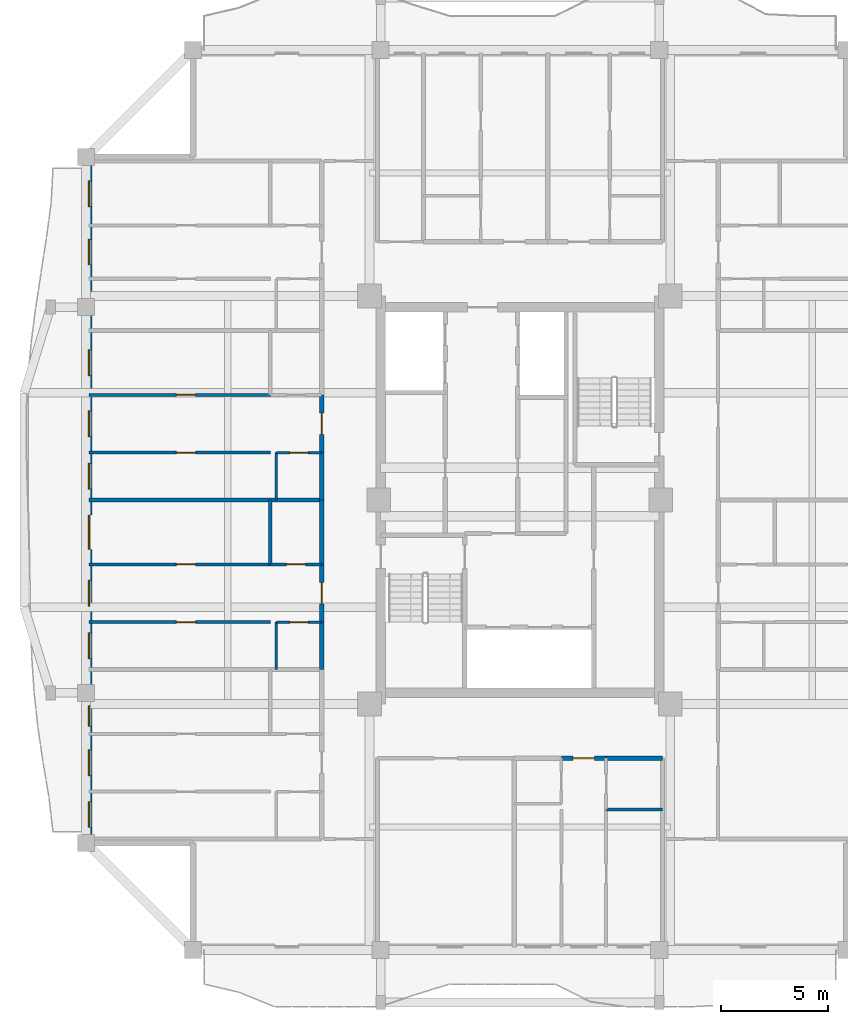
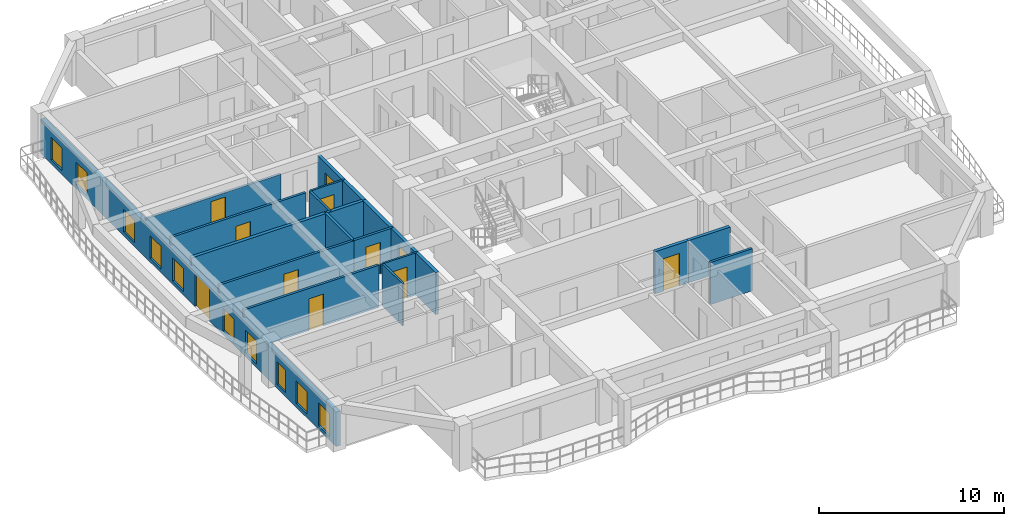
# One storey, part 3 of 13: 20 walls, 11 doors, 10 windows, 21 openings.
"""IFC4 building model written with IfcOpenShell, lengths in metres."""

from ifc_helpers import new_model, si_unit, direction, frame, frame_2d, origin, place, context, subcontext, project, spatial, rectangle, extrude, source, transform, mapped, material, layer, layer_set, type_object, element, fill, save


model = new_model("IFC4")

# Units and contexts
model_context = context("Model", 3, precision=1e-05, world=origin(), true_north=direction((0.0, 1.0)))
body_context = subcontext(model_context, "Body", "Model", "MODEL_VIEW")
ifc_project = project(units=[si_unit("LENGTHUNIT", "METRE"), si_unit("AREAUNIT", "SQUARE_METRE"), si_unit("VOLUMEUNIT", "CUBIC_METRE"), si_unit("PLANEANGLEUNIT", "RADIAN"), si_unit("MASSUNIT", "GRAM", prefix="KILO")], contexts=[model_context])

# Site, building, storey
site_placement = place(None, origin())
site = spatial("IfcSite", under=ifc_project, at=site_placement, CompositionType="ELEMENT")
building_placement = place(site_placement, origin())
building = spatial("IfcBuilding", under=site, at=building_placement, Name="Saelheon Loggia Tower", CompositionType="ELEMENT")
storey_placement = place(building_placement, frame((0.0, 0.0, 189.699951171875)))
storey = spatial("IfcBuildingStorey", under=building, at=storey_placement, Name="L59", CompositionType="ELEMENT", Elevation=189.699951171875)

# Wall, openings, windows, door
ifc_material_1 = material(Name="Architectural Precast Concrete C40/50", Category="concrete")
ifc_layer_1 = layer(ifc_material_1, 0.280029296875)
ifc_layer_set_1 = layer_set([ifc_layer_1], Name="Architectural Precast Concrete C40/50")
wall_type_1 = type_object("IfcWallType", Name="Wall_Ext_Loggia_280", PredefinedType="SOLIDWALL", material=ifc_layer_set_1)
wall_1_placement = place(storey_placement, frame((17.889892578125, 11.0, 0.0), z_axis=(0.0, 0.0, 1.0), x_axis=(0.0, 1.0, 0.0)))
wall_1 = element("IfcWall", 1, at=wall_1_placement, inside=storey, type_object=wall_type_1, Name="L59 West Loggia Inner Wall", PredefinedType="SOLIDWALL", context=body_context, shape_type="SweptSolid", body=[
    extrude(rectangle(XDim=32.0, YDim=0.280029296875, at=frame_2d((16.0, 0.0))), origin(), (0.0, 0.0, 1.0), 2.280029296875),
])
opening_1_placement = place(wall_1_placement, frame((0.71728515625, 0.0, 0.25)))
opening_1 = element("IfcOpeningElement", 2, at=opening_1_placement, cuts=wall_1, Name="Opening WN-03", PredefinedType="OPENING", context=body_context, shape_type="SweptSolid", body=[
    extrude(rectangle(XDim=1.199951171875, YDim=1.5, at=frame_2d((0.60009765625, 0.75))), frame((0.0, 0.152099609375, 0.0), z_axis=(0.0, -1.0, 0.0), x_axis=(1.0, 0.0, 0.0)), (0.0, 0.0, 1.0), 0.303955078125),
])
opening_2_placement = place(wall_1_placement, frame((3.139404296875, 0.0, 0.25)))
opening_2 = element("IfcOpeningElement", 3, at=opening_2_placement, cuts=wall_1, Name="Opening WN-03", PredefinedType="OPENING", context=body_context, shape_type="SweptSolid", body=[
    extrude(rectangle(XDim=1.199951171875, YDim=1.5, at=frame_2d((0.60009765625, 0.75))), frame((0.0, 0.152099609375, 0.0), z_axis=(0.0, -1.0, 0.0), x_axis=(1.0, 0.0, 0.0)), (0.0, 0.0, 1.0), 0.303955078125),
])
opening_3_placement = place(wall_1_placement, frame((5.447021484375, 0.0, 0.25)))
opening_3 = element("IfcOpeningElement", 4, at=opening_3_placement, cuts=wall_1, Name="Opening WN-04", PredefinedType="OPENING", context=body_context, shape_type="SweptSolid", body=[
    extrude(rectangle(XDim=0.949951171875, YDim=1.5, at=frame_2d((0.47509765625, 0.75))), frame((0.0, 0.152099609375, 0.0), z_axis=(0.0, -1.0, 0.0), x_axis=(1.0, 0.0, 0.0)), (0.0, 0.0, 1.0), 0.303955078125),
])
opening_4_placement = place(wall_1_placement, frame((8.597412109375, 0.0, 0.25)))
opening_4 = element("IfcOpeningElement", 5, at=opening_4_placement, cuts=wall_1, Name="Opening WN-03", PredefinedType="OPENING", context=body_context, shape_type="SweptSolid", body=[
    extrude(rectangle(XDim=1.199951171875, YDim=1.5, at=frame_2d((0.60009765625, 0.75))), frame((0.0, 0.152099609375, 0.0), z_axis=(0.0, -1.0, 0.0), x_axis=(1.0, 0.0, 0.0)), (0.0, 0.0, 1.0), 0.303955078125),
])
opening_5_placement = place(wall_1_placement, frame((11.049560546875, 0.0, 0.25)))
opening_5 = element("IfcOpeningElement", 6, at=opening_5_placement, cuts=wall_1, Name="Opening WN-03", PredefinedType="OPENING", context=body_context, shape_type="SweptSolid", body=[
    extrude(rectangle(XDim=1.199951171875, YDim=1.5, at=frame_2d((0.60009765625, 0.75))), frame((0.0, 0.152099609375, 0.0), z_axis=(0.0, -1.0, 0.0), x_axis=(1.0, 0.0, 0.0)), (0.0, 0.0, 1.0), 0.303955078125),
])
opening_6_placement = place(wall_1_placement, frame((13.697021484375, 0.0, 0.0)))
opening_6 = element("IfcOpeningElement", 7, at=opening_6_placement, cuts=wall_1, Name="Opening DLG-1", PredefinedType="OPENING", context=body_context, shape_type="SweptSolid", body=[
    extrude(rectangle(XDim=1.60009765625, YDim=2.14990234375, at=frame_2d((0.800048828125, 1.074951171875))), frame((0.0, 0.152099609375, 0.0), z_axis=(0.0, -1.0, 0.0), x_axis=(1.0, 0.0, 0.0)), (0.0, 0.0, 1.0), 0.303955078125),
])
opening_7_placement = place(wall_1_placement, frame((16.50732421875, 0.0, 0.25)))
opening_7 = element("IfcOpeningElement", 8, at=opening_7_placement, cuts=wall_1, Name="Opening WN-03", PredefinedType="OPENING", context=body_context, shape_type="SweptSolid", body=[
    extrude(rectangle(XDim=1.199951171875, YDim=1.5, at=frame_2d((0.60009765625, 0.75))), frame((0.0, 0.152099609375, 0.0), z_axis=(0.0, -1.0, 0.0), x_axis=(1.0, 0.0, 0.0)), (0.0, 0.0, 1.0), 0.303955078125),
])
opening_8_placement = place(wall_1_placement, frame((18.95947265625, 0.0, 0.25)))
opening_8 = element("IfcOpeningElement", 9, at=opening_8_placement, cuts=wall_1, Name="Opening WN-03", PredefinedType="OPENING", context=body_context, shape_type="SweptSolid", body=[
    extrude(rectangle(XDim=1.199951171875, YDim=1.5, at=frame_2d((0.60009765625, 0.75))), frame((0.0, 0.152099609375, 0.0), z_axis=(0.0, -1.0, 0.0), x_axis=(1.0, 0.0, 0.0)), (0.0, 0.0, 1.0), 0.303955078125),
])
opening_9_placement = place(wall_1_placement, frame((21.80712890625, 0.0, 0.25)))
opening_9 = element("IfcOpeningElement", 10, at=opening_9_placement, cuts=wall_1, Name="Opening WN-03", PredefinedType="OPENING", context=body_context, shape_type="SweptSolid", body=[
    extrude(rectangle(XDim=1.199951171875, YDim=1.5, at=frame_2d((0.60009765625, 0.75))), frame((0.0, 0.152099609375, 0.0), z_axis=(0.0, -1.0, 0.0), x_axis=(1.0, 0.0, 0.0)), (0.0, 0.0, 1.0), 0.303955078125),
])
opening_10_placement = place(wall_1_placement, frame((26.967041015625, 0.0, 0.25)))
opening_10 = element("IfcOpeningElement", 11, at=opening_10_placement, cuts=wall_1, Name="Opening WN-03", PredefinedType="OPENING", context=body_context, shape_type="SweptSolid", body=[
    extrude(rectangle(XDim=1.199951171875, YDim=1.5, at=frame_2d((0.60009765625, 0.75))), frame((0.0, 0.152099609375, 0.0), z_axis=(0.0, -1.0, 0.0), x_axis=(1.0, 0.0, 0.0)), (0.0, 0.0, 1.0), 0.303955078125),
])
opening_11_placement = place(wall_1_placement, frame((29.68701171875, 0.0, 0.25)))
opening_11 = element("IfcOpeningElement", 12, at=opening_11_placement, cuts=wall_1, Name="Opening WN-03", PredefinedType="OPENING", context=body_context, shape_type="SweptSolid", body=[
    extrude(rectangle(XDim=1.199951171875, YDim=1.5, at=frame_2d((0.60009765625, 0.75))), frame((0.0, 0.152099609375, 0.0), z_axis=(0.0, -1.0, 0.0), x_axis=(1.0, 0.0, 0.0)), (0.0, 0.0, 1.0), 0.303955078125),
])
ifc_material_2 = material(Name="Thermal-Break Aluminium and Triple Low-E Glass", Category="aluminium")
window_type_1 = type_object("IfcWindowType", Name="Win_Bedroom_1200x1500", PartitioningType="SINGLE_PANEL", PredefinedType="WINDOW", material=ifc_material_2)
shared_shape_1 = source(origin(), body_context, "Body", "SweptSolid", [
    extrude(rectangle(XDim=1.199951171875, YDim=1.5, at=frame_2d((0.60009765625, 0.75))), frame((0.0, 0.030029296875, 0.0), z_axis=(0.0, -1.0, 0.0), x_axis=(1.0, 0.0, 0.0)), (0.0, 0.0, 1.0), 0.06005859375),
])
window_1_placement = place(opening_1_placement, origin())
window_1 = element("IfcWindow", 13, at=window_1_placement, inside=storey, type_object=window_type_1, Name="L59 W Dwelling Window 1", OverallHeight=1.5, OverallWidth=1.199951171875, PartitioningType="SINGLE_PANEL", PredefinedType="WINDOW", context=body_context, shape_type="MappedRepresentation", body=[
    mapped(shared_shape_1, transform((0.0, 0.0, 0.0), scale=1.0)),
])
fill(opening_1, window_1)
window_2_placement = place(opening_2_placement, origin())
window_2 = element("IfcWindow", 14, at=window_2_placement, inside=storey, type_object=window_type_1, Name="L59 W Dwelling Window 2", OverallHeight=1.5, OverallWidth=1.199951171875, PartitioningType="SINGLE_PANEL", PredefinedType="WINDOW", context=body_context, shape_type="MappedRepresentation", body=[
    mapped(shared_shape_1, transform((0.0, 0.0, 0.0), scale=1.0)),
])
fill(opening_2, window_2)
window_3_placement = place(opening_4_placement, origin())
window_3 = element("IfcWindow", 15, at=window_3_placement, inside=storey, type_object=window_type_1, Name="L59 W Dwelling Window 4", OverallHeight=1.5, OverallWidth=1.199951171875, PartitioningType="SINGLE_PANEL", PredefinedType="WINDOW", context=body_context, shape_type="MappedRepresentation", body=[
    mapped(shared_shape_1, transform((0.0, 0.0, 0.0), scale=1.0)),
])
fill(opening_4, window_3)
window_4_placement = place(opening_5_placement, origin())
window_4 = element("IfcWindow", 16, at=window_4_placement, inside=storey, type_object=window_type_1, Name="L59 W Dwelling Window 5", OverallHeight=1.5, OverallWidth=1.199951171875, PartitioningType="SINGLE_PANEL", PredefinedType="WINDOW", context=body_context, shape_type="MappedRepresentation", body=[
    mapped(shared_shape_1, transform((0.0, 0.0, 0.0), scale=1.0)),
])
fill(opening_5, window_4)
window_5_placement = place(opening_7_placement, origin())
window_5 = element("IfcWindow", 17, at=window_5_placement, inside=storey, type_object=window_type_1, Name="L59 W Dwelling Window 7", OverallHeight=1.5, OverallWidth=1.199951171875, PartitioningType="SINGLE_PANEL", PredefinedType="WINDOW", context=body_context, shape_type="MappedRepresentation", body=[
    mapped(shared_shape_1, transform((0.0, 0.0, 0.0), scale=1.0)),
])
fill(opening_7, window_5)
window_6_placement = place(opening_8_placement, origin())
window_6 = element("IfcWindow", 18, at=window_6_placement, inside=storey, type_object=window_type_1, Name="L59 W Dwelling Window 8", OverallHeight=1.5, OverallWidth=1.199951171875, PartitioningType="SINGLE_PANEL", PredefinedType="WINDOW", context=body_context, shape_type="MappedRepresentation", body=[
    mapped(shared_shape_1, transform((0.0, 0.0, 0.0), scale=1.0)),
])
fill(opening_8, window_6)
window_7_placement = place(opening_9_placement, origin())
window_7 = element("IfcWindow", 19, at=window_7_placement, inside=storey, type_object=window_type_1, Name="L59 W Dwelling Window 9", OverallHeight=1.5, OverallWidth=1.199951171875, PartitioningType="SINGLE_PANEL", PredefinedType="WINDOW", context=body_context, shape_type="MappedRepresentation", body=[
    mapped(shared_shape_1, transform((0.0, 0.0, 0.0), scale=1.0)),
])
fill(opening_9, window_7)
window_8_placement = place(opening_10_placement, origin())
window_8 = element("IfcWindow", 20, at=window_8_placement, inside=storey, type_object=window_type_1, Name="L59 W Dwelling Window 10", OverallHeight=1.5, OverallWidth=1.199951171875, PartitioningType="SINGLE_PANEL", PredefinedType="WINDOW", context=body_context, shape_type="MappedRepresentation", body=[
    mapped(shared_shape_1, transform((0.0, 0.0, 0.0), scale=1.0)),
])
fill(opening_10, window_8)
window_9_placement = place(opening_11_placement, origin())
window_9 = element("IfcWindow", 21, at=window_9_placement, inside=storey, type_object=window_type_1, Name="L59 W Dwelling Window 11", OverallHeight=1.5, OverallWidth=1.199951171875, PartitioningType="SINGLE_PANEL", PredefinedType="WINDOW", context=body_context, shape_type="MappedRepresentation", body=[
    mapped(shared_shape_1, transform((0.0, 0.0, 0.0), scale=1.0)),
])
fill(opening_11, window_9)
window_type_2 = type_object("IfcWindowType", Name="Win_Narrow_950x1500", PartitioningType="SINGLE_PANEL", PredefinedType="WINDOW", material=ifc_material_2)
shared_shape_2 = source(origin(), body_context, "Body", "SweptSolid", [
    extrude(rectangle(XDim=0.949951171875, YDim=1.5, at=frame_2d((0.47509765625, 0.75))), frame((0.0, 0.030029296875, 0.0), z_axis=(0.0, -1.0, 0.0), x_axis=(1.0, 0.0, 0.0)), (0.0, 0.0, 1.0), 0.06005859375),
])
window_10_placement = place(opening_3_placement, origin())
window_10 = element("IfcWindow", 22, at=window_10_placement, inside=storey, type_object=window_type_2, Name="L59 W Dwelling Window 3", OverallHeight=1.5, OverallWidth=0.949951171875, PartitioningType="SINGLE_PANEL", PredefinedType="WINDOW", context=body_context, shape_type="MappedRepresentation", body=[
    mapped(shared_shape_2, transform((0.0, 0.0, 0.0), scale=1.0)),
])
fill(opening_3, window_10)
ifc_material_3 = material(Name="Thermal-Break Aluminium Sliding Glazed Door", Category="aluminium")
door_type_1 = type_object("IfcDoorType", Name="Door_LoggiaSlide_1600", OperationType="SLIDING_TO_LEFT", PredefinedType="DOOR", material=ifc_material_3)
shared_shape_3 = source(origin(), body_context, "Body", "SweptSolid", [
    extrude(rectangle(XDim=1.60009765625, YDim=2.14990234375, at=frame_2d((0.800048828125, 1.074951171875))), frame((0.0, 0.02490234375, 0.0), z_axis=(0.0, -1.0, 0.0), x_axis=(1.0, 0.0, 0.0)), (0.0, 0.0, 1.0), 0.050048828125),
])
door_1_placement = place(opening_6_placement, origin())
door_1 = element("IfcDoor", 23, at=door_1_placement, inside=storey, type_object=door_type_1, Name="L59 W Loggia Access Door", OperationType="SLIDING_TO_LEFT", OverallHeight=2.14990234375, OverallWidth=1.60009765625, PredefinedType="DOOR", context=body_context, shape_type="MappedRepresentation", body=[
    mapped(shared_shape_3, transform((0.0, 0.0, 0.0), scale=1.0)),
])
fill(opening_6, door_1)

# Walls
ifc_material_4 = material(Name="Lightweight Autoclaved Aerated Concrete Block and Acoustic Gypsum", Category="concrete")
ifc_layer_2 = layer(ifc_material_4, 0.14990234375)
ifc_layer_set_2 = layer_set([ifc_layer_2], Name="Lightweight Autoclaved Aerated Concrete Block and Acoustic Gypsum")
wall_type_2 = type_object("IfcWallType", Name="Wall_Part_150", PredefinedType="PARTITIONING", material=ifc_layer_set_2)
wall_2_placement = place(storey_placement, frame((42.02197265625, 12.550048828125, 0.0), z_axis=(0.0, 0.0, 1.0), x_axis=(1.0, 0.0, 0.0)))
element("IfcWall", 24, at=wall_2_placement, inside=storey, type_object=wall_type_2, Name="L59 S Partition V09", PredefinedType="PARTITIONING", context=body_context, shape_type="SweptSolid", body=[
    extrude(rectangle(XDim=2.6279296875, YDim=0.14990234375, at=frame_2d((1.31396484375, 0.0))), origin(), (0.0, 0.0, 1.0), 2.7900390625),
])
wall_3_placement = place(storey_placement, frame((26.35009765625, 23.994140625, 0.0), z_axis=(0.0, 0.0, 1.0), x_axis=(0.0, 1.0, 0.0)))
element("IfcWall", 25, at=wall_3_placement, inside=storey, type_object=wall_type_2, Name="L59 W Partition V17", PredefinedType="PARTITIONING", context=body_context, shape_type="SweptSolid", body=[
    extrude(rectangle(XDim=3.005859375, YDim=0.14990234375, at=frame_2d((1.5029296875, 0.0))), origin(), (0.0, 0.0, 1.0), 2.7900390625),
])

# Wall, opening, door
wall_4_placement = place(storey_placement, frame((26.35009765625, 21.3046875, 0.0), z_axis=(0.0, 0.0, 1.0), x_axis=(-1.0, 0.0, 0.0)))
wall_4 = element("IfcWall", 26, at=wall_4_placement, inside=storey, type_object=wall_type_2, Name="L59 W Partition U19", PredefinedType="PARTITIONING", context=body_context, shape_type="SweptSolid", body=[
    extrude(rectangle(XDim=8.4501953125, YDim=0.14990234375, at=frame_2d((4.22509765625, 0.0))), origin(), (0.0, 0.0, 1.0), 2.7900390625),
])
opening_12_placement = place(wall_4_placement, frame((3.48046875, 0.0, 0.0)))
opening_12 = element("IfcOpeningElement", 27, at=opening_12_placement, cuts=wall_4, Name="Opening D-IN2", PredefinedType="OPENING", context=body_context, shape_type="SweptSolid", body=[
    extrude(rectangle(XDim=0.89990234375, YDim=2.10009765625, at=frame_2d((0.449951171875, 1.050048828125))), frame((0.0, 0.0869140625, 0.0), z_axis=(0.0, -1.0, 0.0), x_axis=(1.0, 0.0, 0.0)), (0.0, 0.0, 1.0), 0.173828125),
])
ifc_material_5 = material(Name="Engineered Oak Flush Door", Category="timber")
door_type_2 = type_object("IfcDoorType", Name="Door_Int_900", OperationType="NOTDEFINED", PredefinedType="DOOR", material=ifc_material_5)
shared_shape_4 = source(origin(), body_context, "Body", "SweptSolid", [
    extrude(rectangle(XDim=0.89990234375, YDim=2.10009765625, at=frame_2d((0.449951171875, 1.050048828125))), frame((0.0, 0.02490234375, 0.0), z_axis=(0.0, -1.0, 0.0), x_axis=(1.0, 0.0, 0.0)), (0.0, 0.0, 1.0), 0.050048828125),
])
door_2_placement = place(opening_12_placement, origin())
door_2 = element("IfcDoor", 28, at=door_2_placement, inside=storey, type_object=door_type_2, Name="Unit U05 Kitchen Door", OperationType="SINGLE_SWING_LEFT", OverallHeight=2.10009765625, OverallWidth=0.89990234375, PredefinedType="DOOR", context=body_context, shape_type="MappedRepresentation", body=[
    mapped(shared_shape_4, transform((0.0, 0.0, 0.0), scale=1.0)),
])
fill(opening_12, door_2)

wall_5_placement = place(storey_placement, frame((28.75, 23.994140625, 0.0), z_axis=(0.0, 0.0, 1.0), x_axis=(-1.0, 0.0, 0.0)))
wall_5 = element("IfcWall", 29, at=wall_5_placement, inside=storey, type_object=wall_type_2, Name="L59 W Partition U20", PredefinedType="PARTITIONING", context=body_context, shape_type="SweptSolid", body=[
    extrude(rectangle(XDim=2.39990234375, YDim=0.14990234375, at=frame_2d((1.199951171875, 0.0))), origin(), (0.0, 0.0, 1.0), 2.7900390625),
])
opening_13_placement = place(wall_5_placement, frame((0.75, 0.0, 0.0)))
opening_13 = element("IfcOpeningElement", 30, at=opening_13_placement, cuts=wall_5, Name="Opening D-IN2", PredefinedType="OPENING", context=body_context, shape_type="SweptSolid", body=[
    extrude(rectangle(XDim=0.89990234375, YDim=2.10009765625, at=frame_2d((0.449951171875, 1.050048828125))), frame((0.0, 0.0869140625, 0.0), z_axis=(0.0, -1.0, 0.0), x_axis=(1.0, 0.0, 0.0)), (0.0, 0.0, 1.0), 0.173828125),
])
door_3_placement = place(opening_13_placement, origin())
door_3 = element("IfcDoor", 31, at=door_3_placement, inside=storey, type_object=door_type_2, Name="Unit U05 Dressing Closet Door", OperationType="SINGLE_SWING_RIGHT", OverallHeight=2.10009765625, OverallWidth=0.89990234375, PredefinedType="DOOR", context=body_context, shape_type="MappedRepresentation", body=[
    mapped(shared_shape_4, transform((0.0, 0.0, 0.0), scale=1.0)),
])
fill(opening_13, door_3)

wall_6_placement = place(storey_placement, frame((26.35009765625, 23.994140625, 0.0), z_axis=(0.0, 0.0, 1.0), x_axis=(-1.0, 0.0, 0.0)))
wall_6 = element("IfcWall", 32, at=wall_6_placement, inside=storey, type_object=wall_type_2, Name="L59 W Partition U21", PredefinedType="PARTITIONING", context=body_context, shape_type="SweptSolid", body=[
    extrude(rectangle(XDim=8.4501953125, YDim=0.14990234375, at=frame_2d((4.22509765625, 0.0))), origin(), (0.0, 0.0, 1.0), 2.7900390625),
])
opening_14_placement = place(wall_6_placement, frame((3.48046875, 0.0, 0.0)))
opening_14 = element("IfcOpeningElement", 33, at=opening_14_placement, cuts=wall_6, Name="Opening D-IN2", PredefinedType="OPENING", context=body_context, shape_type="SweptSolid", body=[
    extrude(rectangle(XDim=0.89990234375, YDim=2.10009765625, at=frame_2d((0.449951171875, 1.050048828125))), frame((0.0, 0.0869140625, 0.0), z_axis=(0.0, -1.0, 0.0), x_axis=(1.0, 0.0, 0.0)), (0.0, 0.0, 1.0), 0.173828125),
])
door_4_placement = place(opening_14_placement, origin())
door_4 = element("IfcDoor", 34, at=door_4_placement, inside=storey, type_object=door_type_2, Name="Unit U05 Bedroom 1 Door", OperationType="SINGLE_SWING_LEFT", OverallHeight=2.10009765625, OverallWidth=0.89990234375, PredefinedType="DOOR", context=body_context, shape_type="MappedRepresentation", body=[
    mapped(shared_shape_4, transform((0.0, 0.0, 0.0), scale=1.0)),
])
fill(opening_14, door_4)

wall_7_placement = place(storey_placement, frame((26.35009765625, 29.21484375, 0.0), z_axis=(0.0, 0.0, 1.0), x_axis=(-1.0, 0.0, 0.0)))
wall_7 = element("IfcWall", 35, at=wall_7_placement, inside=storey, type_object=wall_type_2, Name="L59 W Partition U29", PredefinedType="PARTITIONING", context=body_context, shape_type="SweptSolid", body=[
    extrude(rectangle(XDim=8.4501953125, YDim=0.14990234375, at=frame_2d((4.22509765625, 0.0))), origin(), (0.0, 0.0, 1.0), 2.7900390625),
])
opening_15_placement = place(wall_7_placement, frame((3.48046875, 0.0, 0.0)))
opening_15 = element("IfcOpeningElement", 36, at=opening_15_placement, cuts=wall_7, Name="Opening D-IN2", PredefinedType="OPENING", context=body_context, shape_type="SweptSolid", body=[
    extrude(rectangle(XDim=0.89990234375, YDim=2.10009765625, at=frame_2d((0.449951171875, 1.050048828125))), frame((0.0, 0.0869140625, 0.0), z_axis=(0.0, -1.0, 0.0), x_axis=(1.0, 0.0, 0.0)), (0.0, 0.0, 1.0), 0.173828125),
])
door_5_placement = place(opening_15_placement, origin())
door_5 = element("IfcDoor", 37, at=door_5_placement, inside=storey, type_object=door_type_2, Name="Unit U06 Kitchen Door", OperationType="SINGLE_SWING_RIGHT", OverallHeight=2.10009765625, OverallWidth=0.89990234375, PredefinedType="DOOR", context=body_context, shape_type="MappedRepresentation", body=[
    mapped(shared_shape_4, transform((0.0, 0.0, 0.0), scale=1.0)),
])
fill(opening_15, door_5)

wall_8_placement = place(storey_placement, frame((26.35009765625, 31.904296875, 0.0), z_axis=(0.0, 0.0, 1.0), x_axis=(-1.0, 0.0, 0.0)))
wall_8 = element("IfcWall", 38, at=wall_8_placement, inside=storey, type_object=wall_type_2, Name="L59 W Partition U31", PredefinedType="PARTITIONING", context=body_context, shape_type="SweptSolid", body=[
    extrude(rectangle(XDim=8.4501953125, YDim=0.14990234375, at=frame_2d((4.22509765625, 0.0))), origin(), (0.0, 0.0, 1.0), 2.39013671875),
])
opening_16_placement = place(wall_8_placement, frame((3.48046875, 0.0, 0.0)))
opening_16 = element("IfcOpeningElement", 39, at=opening_16_placement, cuts=wall_8, Name="Opening D-IN2", PredefinedType="OPENING", context=body_context, shape_type="SweptSolid", body=[
    extrude(rectangle(XDim=0.89990234375, YDim=2.10009765625, at=frame_2d((0.449951171875, 1.050048828125))), frame((0.0, 0.0869140625, 0.0), z_axis=(0.0, -1.0, 0.0), x_axis=(1.0, 0.0, 0.0)), (0.0, 0.0, 1.0), 0.173828125),
])
door_6_placement = place(opening_16_placement, origin())
door_6 = element("IfcDoor", 40, at=door_6_placement, inside=storey, type_object=door_type_2, Name="Unit U06 Bedroom 1 Door", OperationType="SINGLE_SWING_RIGHT", OverallHeight=2.10009765625, OverallWidth=0.89990234375, PredefinedType="DOOR", context=body_context, shape_type="MappedRepresentation", body=[
    mapped(shared_shape_4, transform((0.0, 0.0, 0.0), scale=1.0)),
])
fill(opening_16, door_6)

ifc_material_6 = material(Name="Double Acoustic Stud and Fireboard Partition", Category="gypsum")
ifc_layer_3 = layer(ifc_material_6, 0.199951171875)
ifc_layer_set_3 = layer_set([ifc_layer_3], Name="Double Acoustic Stud and Fireboard Partition")
wall_type_3 = type_object("IfcWallType", Name="Wall_Party_200", PredefinedType="PARTITIONING", material=ifc_layer_set_3)
wall_9_placement = place(storey_placement, frame((39.93408203125, 14.949951171875, 0.0), z_axis=(0.0, 0.0, 1.0), x_axis=(1.0, 0.0, 0.0)))
wall_9 = element("IfcWall", 41, at=wall_9_placement, inside=storey, type_object=wall_type_3, Name="L59 S Partition V06", PredefinedType="PARTITIONING", context=body_context, shape_type="SweptSolid", body=[
    extrude(rectangle(XDim=2.087890625, YDim=0.199951171875, at=frame_2d((1.0439453125, 0.0))), origin(), (0.0, 0.0, 1.0), 2.7900390625),
])
opening_17_placement = place(wall_9_placement, frame((0.5439453125, 0.0, 0.0)))
opening_17 = element("IfcOpeningElement", 42, at=opening_17_placement, cuts=wall_9, Name="Opening D-FD1", PredefinedType="OPENING", context=body_context, shape_type="SweptSolid", body=[
    extrude(rectangle(XDim=1.0, YDim=2.14990234375, at=frame_2d((0.5, 1.074951171875))), frame((0.0, 0.112060546875, 0.0), z_axis=(0.0, -1.0, 0.0), x_axis=(1.0, 0.0, 0.0)), (0.0, 0.0, 1.0), 0.223876953125),
])
ifc_material_7 = material(Name="Fire-Rated Engineered Timber Entrance Door", Category="wood")
door_type_3 = type_object("IfcDoorType", Name="Door_Flat_FD30S", OperationType="NOTDEFINED", PredefinedType="DOOR", material=ifc_material_7)
shared_shape_5 = source(origin(), body_context, "Body", "SweptSolid", [
    extrude(rectangle(XDim=1.0, YDim=2.14990234375, at=frame_2d((0.5, 1.074951171875))), frame((0.0, 0.02490234375, 0.0), z_axis=(0.0, -1.0, 0.0), x_axis=(1.0, 0.0, 0.0)), (0.0, 0.0, 1.0), 0.050048828125),
])
door_7_placement = place(opening_17_placement, origin())
door_7 = element("IfcDoor", 43, at=door_7_placement, inside=storey, type_object=door_type_3, Name="Unit U01 Entrance Door", OperationType="SINGLE_SWING_RIGHT", OverallHeight=2.14990234375, OverallWidth=1.0, PredefinedType="DOOR", context=body_context, shape_type="MappedRepresentation", body=[
    mapped(shared_shape_5, transform((0.0, 0.0, 0.0), scale=1.0)),
])
fill(opening_17, door_7)

# Walls
wall_10_placement = place(storey_placement, frame((42.02197265625, 14.949951171875, 0.0), z_axis=(0.0, 0.0, 1.0), x_axis=(1.0, 0.0, 0.0)))
element("IfcWall", 44, at=wall_10_placement, inside=storey, type_object=wall_type_3, Name="L59 S Partition V07", PredefinedType="PARTITIONING", context=body_context, shape_type="SweptSolid", body=[
    extrude(rectangle(XDim=2.6279296875, YDim=0.199951171875, at=frame_2d((1.31396484375, 0.0))), origin(), (0.0, 0.0, 1.0), 2.7900390625),
])
wall_11_placement = place(storey_placement, frame((28.75, 19.090087890625, 0.0), z_axis=(0.0, 0.0, 1.0), x_axis=(0.0, 1.0, 0.0)))
element("IfcWall", 45, at=wall_11_placement, inside=storey, type_object=wall_type_3, Name="L59 W Partition V13", PredefinedType="PARTITIONING", context=body_context, shape_type="SweptSolid", body=[
    extrude(rectangle(XDim=2.214599609375, YDim=0.199951171875, at=frame_2d((1.107421875, 0.0))), origin(), (0.0, 0.0, 1.0), 2.7900390625),
])

# Wall, opening, door
wall_12_placement = place(storey_placement, frame((28.75, 21.3046875, 0.0), z_axis=(0.0, 0.0, 1.0), x_axis=(0.0, 1.0, 0.0)))
wall_12 = element("IfcWall", 46, at=wall_12_placement, inside=storey, type_object=wall_type_3, Name="L59 W Partition V14", PredefinedType="PARTITIONING", context=body_context, shape_type="SweptSolid", body=[
    extrude(rectangle(XDim=2.689453125, YDim=0.199951171875, at=frame_2d((1.3447265625, 0.0))), origin(), (0.0, 0.0, 1.0), 2.7900390625),
])
opening_18_placement = place(wall_12_placement, frame((0.8447265625, 0.0, 0.0)))
opening_18 = element("IfcOpeningElement", 47, at=opening_18_placement, cuts=wall_12, Name="Opening D-FD1", PredefinedType="OPENING", context=body_context, shape_type="SweptSolid", body=[
    extrude(rectangle(XDim=1.0, YDim=2.14990234375, at=frame_2d((0.5, 1.074951171875))), frame((0.0, 0.112060546875, 0.0), z_axis=(0.0, -1.0, 0.0), x_axis=(1.0, 0.0, 0.0)), (0.0, 0.0, 1.0), 0.223876953125),
])
door_8_placement = place(opening_18_placement, origin())
door_8 = element("IfcDoor", 48, at=door_8_placement, inside=storey, type_object=door_type_3, Name="Unit U05 Entrance Door", OperationType="SINGLE_SWING_LEFT", OverallHeight=2.14990234375, OverallWidth=1.0, PredefinedType="DOOR", context=body_context, shape_type="MappedRepresentation", body=[
    mapped(shared_shape_5, transform((0.0, 0.0, 0.0), scale=1.0)),
])
fill(opening_18, door_8)

# Walls
wall_13_placement = place(storey_placement, frame((28.75, 23.994140625, 0.0), z_axis=(0.0, 0.0, 1.0), x_axis=(0.0, 1.0, 0.0)))
element("IfcWall", 49, at=wall_13_placement, inside=storey, type_object=wall_type_3, Name="L59 W Partition V15", PredefinedType="PARTITIONING", context=body_context, shape_type="SweptSolid", body=[
    extrude(rectangle(XDim=3.005859375, YDim=0.199951171875, at=frame_2d((1.5029296875, 0.0))), origin(), (0.0, 0.0, 1.0), 2.7900390625),
])
wall_14_placement = place(storey_placement, frame((28.75, 27.0, 0.0), z_axis=(0.0, 0.0, 1.0), x_axis=(-1.0, 0.0, 0.0)))
element("IfcWall", 50, at=wall_14_placement, inside=storey, type_object=wall_type_3, Name="L59 W Partition U22", PredefinedType="PARTITIONING", context=body_context, shape_type="SweptSolid", body=[
    extrude(rectangle(XDim=10.85009765625, YDim=0.199951171875, at=frame_2d((5.425048828125, 0.0))), origin(), (0.0, 0.0, 1.0), 2.7900390625),
])
wall_15_placement = place(storey_placement, frame((28.75, 27.0, 0.0), z_axis=(0.0, 0.0, 1.0), x_axis=(0.0, 1.0, 0.0)))
element("IfcWall", 51, at=wall_15_placement, inside=storey, type_object=wall_type_3, Name="L59 W Partition V23", PredefinedType="PARTITIONING", context=body_context, shape_type="SweptSolid", body=[
    extrude(rectangle(XDim=2.21484375, YDim=0.199951171875, at=frame_2d((1.107421875, 0.0))), origin(), (0.0, 0.0, 1.0), 2.7900390625),
])

# Wall, opening, door
wall_16_placement = place(storey_placement, frame((28.75, 29.21484375, 0.0), z_axis=(0.0, 0.0, 1.0), x_axis=(0.0, 1.0, 0.0)))
wall_16 = element("IfcWall", 52, at=wall_16_placement, inside=storey, type_object=wall_type_3, Name="L59 W Partition V24", PredefinedType="PARTITIONING", context=body_context, shape_type="SweptSolid", body=[
    extrude(rectangle(XDim=2.689453125, YDim=0.199951171875, at=frame_2d((1.3447265625, 0.0))), origin(), (0.0, 0.0, 1.0), 2.7900390625),
])
opening_19_placement = place(wall_16_placement, frame((0.8447265625, 0.0, 0.0)))
opening_19 = element("IfcOpeningElement", 53, at=opening_19_placement, cuts=wall_16, Name="Opening D-FD1", PredefinedType="OPENING", context=body_context, shape_type="SweptSolid", body=[
    extrude(rectangle(XDim=1.0, YDim=2.14990234375, at=frame_2d((0.5, 1.074951171875))), frame((0.0, 0.112060546875, 0.0), z_axis=(0.0, -1.0, 0.0), x_axis=(1.0, 0.0, 0.0)), (0.0, 0.0, 1.0), 0.223876953125),
])
door_9_placement = place(opening_19_placement, origin())
door_9 = element("IfcDoor", 54, at=door_9_placement, inside=storey, type_object=door_type_3, Name="Unit U06 Entrance Door", OperationType="SINGLE_SWING_RIGHT", OverallHeight=2.14990234375, OverallWidth=1.0, PredefinedType="DOOR", context=body_context, shape_type="MappedRepresentation", body=[
    mapped(shared_shape_5, transform((0.0, 0.0, 0.0), scale=1.0)),
])
fill(opening_19, door_9)

# Wall
ifc_material_8 = material(Name="Moisture-Resistant Cement Board Partition", Category="gypsum")
ifc_layer_4 = layer(ifc_material_8, 0.1201171875)
ifc_layer_set_4 = layer_set([ifc_layer_4], Name="Moisture-Resistant Cement Board Partition")
wall_type_4 = type_object("IfcWallType", Name="Wall_WetPart_120", PredefinedType="PARTITIONING", material=ifc_layer_set_4)
wall_17_placement = place(storey_placement, frame((26.6298828125, 19.090087890625, 0.0), z_axis=(0.0, 0.0, 1.0), x_axis=(0.0, 1.0, 0.0)))
element("IfcWall", 55, at=wall_17_placement, inside=storey, type_object=wall_type_4, Name="L59 W Partition V16", PredefinedType="PARTITIONING", context=body_context, shape_type="SweptSolid", body=[
    extrude(rectangle(XDim=2.214599609375, YDim=0.1201171875, at=frame_2d((1.107421875, 0.0))), origin(), (0.0, 0.0, 1.0), 2.7900390625),
])

# Wall, opening, door
wall_18_placement = place(storey_placement, frame((28.75, 21.3046875, 0.0), z_axis=(0.0, 0.0, 1.0), x_axis=(-1.0, 0.0, 0.0)))
wall_18 = element("IfcWall", 56, at=wall_18_placement, inside=storey, type_object=wall_type_4, Name="L59 W Partition U18", PredefinedType="PARTITIONING", context=body_context, shape_type="SweptSolid", body=[
    extrude(rectangle(XDim=2.1201171875, YDim=0.1201171875, at=frame_2d((1.06005859375, 0.0))), origin(), (0.0, 0.0, 1.0), 2.7900390625),
])
opening_20_placement = place(wall_18_placement, frame((0.635009765625, 0.0, 0.0)))
opening_20 = element("IfcOpeningElement", 57, at=opening_20_placement, cuts=wall_18, Name="Opening D-BT1", PredefinedType="OPENING", context=body_context, shape_type="SweptSolid", body=[
    extrude(rectangle(XDim=0.85009765625, YDim=2.050048828125, at=frame_2d((0.425048828125, 1.02490234375))), frame((0.0, 0.072021484375, 0.0), z_axis=(0.0, -1.0, 0.0), x_axis=(1.0, 0.0, 0.0)), (0.0, 0.0, 1.0), 0.14404296875),
])
ifc_material_9 = material(Name="Moisture-Resistant Laminate Timber Door", Category="wood")
door_type_4 = type_object("IfcDoorType", Name="Door_Bath_850", OperationType="NOTDEFINED", PredefinedType="DOOR", material=ifc_material_9)
shared_shape_6 = source(origin(), body_context, "Body", "SweptSolid", [
    extrude(rectangle(XDim=0.85009765625, YDim=2.050048828125, at=frame_2d((0.425048828125, 1.02490234375))), frame((0.0, 0.02490234375, 0.0), z_axis=(0.0, -1.0, 0.0), x_axis=(1.0, 0.0, 0.0)), (0.0, 0.0, 1.0), 0.050048828125),
])
door_10_placement = place(opening_20_placement, origin())
door_10 = element("IfcDoor", 58, at=door_10_placement, inside=storey, type_object=door_type_4, Name="Unit U05 Bathroom Door", OperationType="SINGLE_SWING_RIGHT", OverallHeight=2.050048828125, OverallWidth=0.85009765625, PredefinedType="DOOR", context=body_context, shape_type="MappedRepresentation", body=[
    mapped(shared_shape_6, transform((0.0, 0.0, 0.0), scale=1.0)),
])
fill(opening_20, door_10)

# Wall
wall_19_placement = place(storey_placement, frame((26.6298828125, 27.0, 0.0), z_axis=(0.0, 0.0, 1.0), x_axis=(0.0, 1.0, 0.0)))
element("IfcWall", 59, at=wall_19_placement, inside=storey, type_object=wall_type_4, Name="L59 W Partition V26", PredefinedType="PARTITIONING", context=body_context, shape_type="SweptSolid", body=[
    extrude(rectangle(XDim=2.21484375, YDim=0.1201171875, at=frame_2d((1.107421875, 0.0))), origin(), (0.0, 0.0, 1.0), 2.7900390625),
])

# Wall, opening, door
wall_20_placement = place(storey_placement, frame((28.75, 29.21484375, 0.0), z_axis=(0.0, 0.0, 1.0), x_axis=(-1.0, 0.0, 0.0)))
wall_20 = element("IfcWall", 60, at=wall_20_placement, inside=storey, type_object=wall_type_4, Name="L59 W Partition U28", PredefinedType="PARTITIONING", context=body_context, shape_type="SweptSolid", body=[
    extrude(rectangle(XDim=2.1201171875, YDim=0.1201171875, at=frame_2d((1.06005859375, 0.0))), origin(), (0.0, 0.0, 1.0), 2.7900390625),
])
opening_21_placement = place(wall_20_placement, frame((0.635009765625, 0.0, 0.0)))
opening_21 = element("IfcOpeningElement", 61, at=opening_21_placement, cuts=wall_20, Name="Opening D-BT1", PredefinedType="OPENING", context=body_context, shape_type="SweptSolid", body=[
    extrude(rectangle(XDim=0.85009765625, YDim=2.050048828125, at=frame_2d((0.425048828125, 1.02490234375))), frame((0.0, 0.072021484375, 0.0), z_axis=(0.0, -1.0, 0.0), x_axis=(1.0, 0.0, 0.0)), (0.0, 0.0, 1.0), 0.14404296875),
])
door_11_placement = place(opening_21_placement, origin())
door_11 = element("IfcDoor", 62, at=door_11_placement, inside=storey, type_object=door_type_4, Name="Unit U06 Bathroom Door", OperationType="SINGLE_SWING_LEFT", OverallHeight=2.050048828125, OverallWidth=0.85009765625, PredefinedType="DOOR", context=body_context, shape_type="MappedRepresentation", body=[
    mapped(shared_shape_6, transform((0.0, 0.0, 0.0), scale=1.0)),
])
fill(opening_21, door_11)

save(model, "model.ifc")
